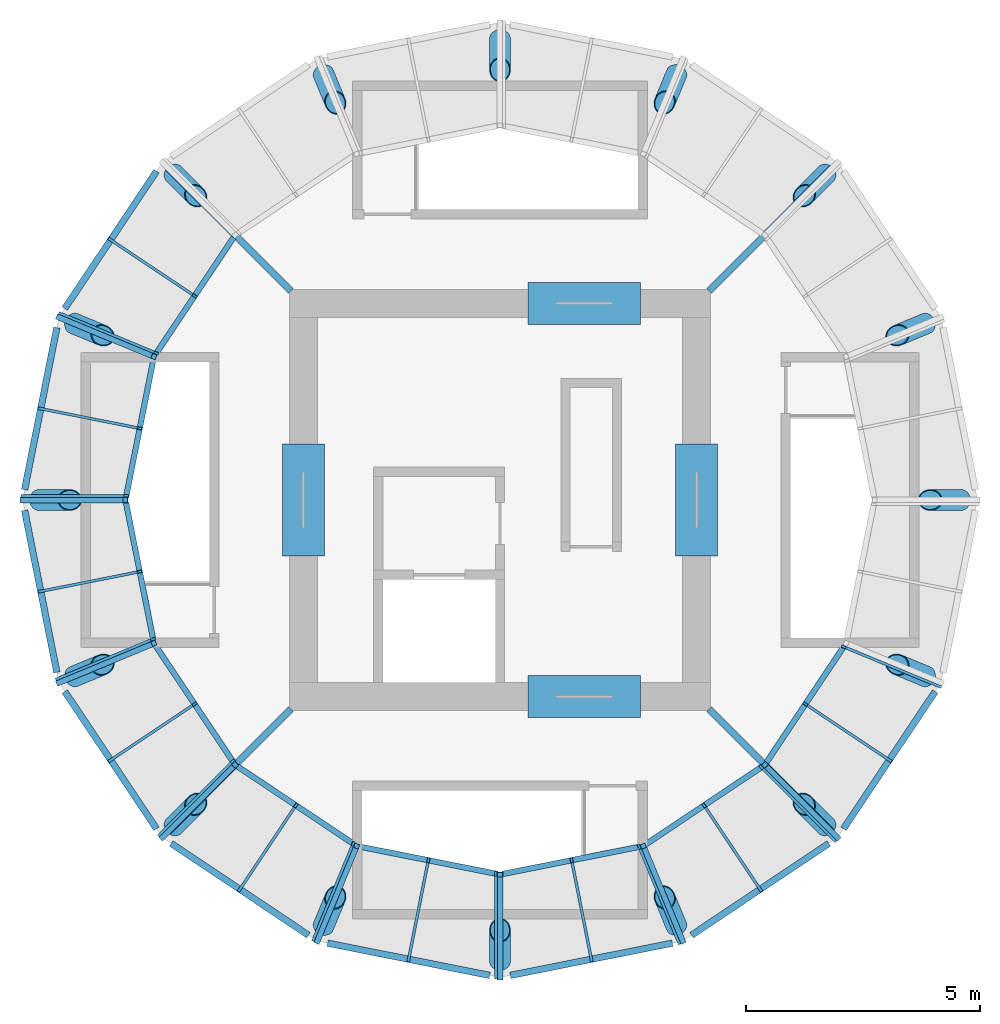
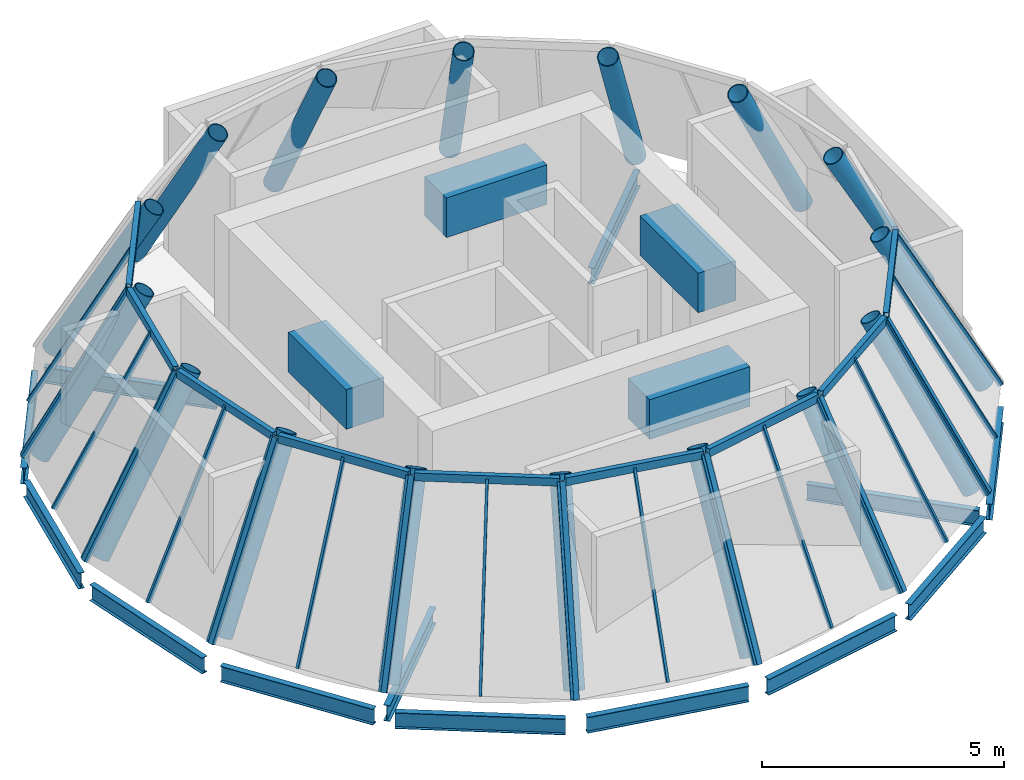
# One storey, part 1 of 4: 35 members, 17 beams, 16 columns, 9 elements without a shape of their own.
"""IFC4 building model written with IfcOpenShell, lengths in metres."""

from ifc_helpers import new_model, si_unit, direction, frame, origin, origin_2d, place, context, subcontext, project, spatial, rectangle, hollow_rectangle, hollow_circle, i_section, extrude, material, material_profile, profile_set, type_object, element, aggregate, save


model = new_model("IFC4")

# Units and contexts
model_context = context("Model", 3, precision=1e-05, world=origin(), true_north=direction((0.0, 1.0)))
body_context = subcontext(model_context, "Body", "Model", "MODEL_VIEW")
ifc_project = project(units=[si_unit("LENGTHUNIT", "METRE"), si_unit("AREAUNIT", "SQUARE_METRE"), si_unit("VOLUMEUNIT", "CUBIC_METRE"), si_unit("PLANEANGLEUNIT", "RADIAN"), si_unit("MASSUNIT", "GRAM", prefix="KILO")], contexts=[model_context])

# Site, building, storey
site_placement = place(None, origin())
site = spatial("IfcSite", under=ifc_project, at=site_placement, CompositionType="ELEMENT")
building_placement = place(site_placement, origin())
building = spatial("IfcBuilding", under=site, at=building_placement, Name="Corvane Civic Tower", CompositionType="ELEMENT")
storey_placement = place(building_placement, frame((0.0, 0.0, 406.5)))
storey = spatial("IfcBuildingStorey", under=building, at=storey_placement, Name="L96", CompositionType="ELEMENT", Elevation=406.5)

# Columns
ifc_material_1 = material(Name="Steel ASTM A572 Gr 50", Category="steel")
ifc_material_profile_1 = material_profile(ifc_material_1, hollow_circle(Radius=0.22509765625, WallThickness=0.02001953125, at=origin_2d()), Name="CHS450X20")
ifc_profile_set_1 = profile_set([ifc_material_profile_1], Name="Steel ASTM A572 Gr 50")
column_type = type_object("IfcColumnType", Name="CROWN RIB CHS450X20", PredefinedType="COLUMN", material=ifc_profile_set_1)
column_1_placement = place(storey_placement, frame((0.0, 9.847900390625, 0.00390625), z_axis=(0.0, -0.481943591087, 0.876202245495), x_axis=(1.0, 0.0, 0.0)))
element("IfcColumn", 1, at=column_1_placement, inside=storey, type_object=column_type, Name="Crown rib CR-1", PredefinedType="COLUMN", context=body_context, shape_type="SweptSolid", body=[
    extrude(hollow_circle(Radius=0.22509765625, WallThickness=0.02001953125, at=origin_2d()), origin(), (0.0, 0.0, 1.0), 4.52734375),
])
for number, where, z_axis, x_axis, name in (
    (2, (3.7685546875, 9.09814453125, 0.00390625), (-0.184432798583, -0.445227247106, 0.876217576428), (0.923869529365, -0.382707581205, 0.0), "Crown rib CR-3"),
    (3, (6.96337890625, 6.96337890625, 0.00390625), (-0.340768469748, -0.340768469748, 0.8762155557), (0.707106781187, -0.707106781187, 0.0), "Crown rib CR-5"),
    (4, (9.09814453125, 3.7685546875, 0.00390625), (-0.445227247106, -0.184432798583, 0.876217576428), (0.382707581205, -0.923869529365, 0.0), "Crown rib CR-7"),
):
    element("IfcColumn", number, at=place(storey_placement, frame(where, z_axis=z_axis, x_axis=x_axis)), inside=storey, type_object=column_type, Name=name, PredefinedType="COLUMN", context=body_context, shape_type="SweptSolid", body=[
        extrude(hollow_circle(Radius=0.22509765625, WallThickness=0.02001953125, at=origin_2d()), origin(), (0.0, 0.0, 1.0), 4.527099609375),
    ])
column_2_placement = place(storey_placement, frame((9.847900390625, 0.0, 0.00390625), z_axis=(-0.481943591087, 0.0, 0.876202245495), x_axis=(0.0, -1.0, 0.0)))
element("IfcColumn", 5, at=column_2_placement, inside=storey, type_object=column_type, Name="Crown rib CR-9", PredefinedType="COLUMN", context=body_context, shape_type="SweptSolid", body=[
    extrude(hollow_circle(Radius=0.22509765625, WallThickness=0.02001953125, at=origin_2d()), origin(), (0.0, 0.0, 1.0), 4.52734375),
])
for number, where, z_axis, x_axis, name in (
    (6, (9.09814453125, -3.7685546875, 0.00390625), (-0.445227247106, 0.184432798583, 0.876217576428), (-0.382707581205, -0.923869529365, 0.0), "Crown rib CR-11"),
    (7, (6.96337890625, -6.96337890625, 0.00390625), (-0.340768469748, 0.340768469748, 0.8762155557), (-0.707106781187, -0.707106781187, 0.0), "Crown rib CR-13"),
    (8, (3.7685546875, -9.09814453125, 0.00390625), (-0.184432798583, 0.445227247106, 0.876217576428), (-0.923869529365, -0.382707581205, 0.0), "Crown rib CR-15"),
):
    element("IfcColumn", number, at=place(storey_placement, frame(where, z_axis=z_axis, x_axis=x_axis)), inside=storey, type_object=column_type, Name=name, PredefinedType="COLUMN", context=body_context, shape_type="SweptSolid", body=[
        extrude(hollow_circle(Radius=0.22509765625, WallThickness=0.02001953125, at=origin_2d()), origin(), (0.0, 0.0, 1.0), 4.527099609375),
    ])
column_3_placement = place(storey_placement, frame((0.0, -9.847900390625, 0.00390625), z_axis=(0.0, 0.481943591087, 0.876202245495), x_axis=(-1.0, 0.0, 0.0)))
element("IfcColumn", 9, at=column_3_placement, inside=storey, type_object=column_type, Name="Crown rib CR-17", PredefinedType="COLUMN", context=body_context, shape_type="SweptSolid", body=[
    extrude(hollow_circle(Radius=0.22509765625, WallThickness=0.02001953125, at=origin_2d()), origin(), (0.0, 0.0, 1.0), 4.52734375),
])
for number, where, z_axis, x_axis, name in (
    (10, (-3.7685546875, -9.09814453125, 0.00390625), (0.184432798583, 0.445227247106, 0.876217576428), (-0.923869529365, 0.382707581205, 0.0), "Crown rib CR-19"),
    (11, (-6.96337890625, -6.96337890625, 0.00390625), (0.340768469748, 0.340768469748, 0.8762155557), (-0.707106781187, 0.707106781187, 0.0), "Crown rib CR-21"),
    (12, (-9.09814453125, -3.7685546875, 0.00390625), (0.445227247106, 0.184432798583, 0.876217576428), (-0.382707581205, 0.923869529365, 0.0), "Crown rib CR-23"),
):
    element("IfcColumn", number, at=place(storey_placement, frame(where, z_axis=z_axis, x_axis=x_axis)), inside=storey, type_object=column_type, Name=name, PredefinedType="COLUMN", context=body_context, shape_type="SweptSolid", body=[
        extrude(hollow_circle(Radius=0.22509765625, WallThickness=0.02001953125, at=origin_2d()), origin(), (0.0, 0.0, 1.0), 4.527099609375),
    ])
column_4_placement = place(storey_placement, frame((-9.847900390625, 0.0, 0.00390625), z_axis=(0.481943591087, 0.0, 0.876202245495), x_axis=(0.0, 1.0, 0.0)))
element("IfcColumn", 13, at=column_4_placement, inside=storey, type_object=column_type, Name="Crown rib CR-25", PredefinedType="COLUMN", context=body_context, shape_type="SweptSolid", body=[
    extrude(hollow_circle(Radius=0.22509765625, WallThickness=0.02001953125, at=origin_2d()), origin(), (0.0, 0.0, 1.0), 4.52734375),
])
for number, where, z_axis, x_axis, name in (
    (14, (-9.09814453125, 3.7685546875, 0.00390625), (0.445227247106, -0.184432798583, 0.876217576428), (0.382707581205, 0.923869529365, 0.0), "Crown rib CR-27"),
    (15, (-6.96337890625, 6.96337890625, 0.00390625), (0.340768469748, -0.340768469748, 0.8762155557), (0.707106781187, 0.707106781187, 0.0), "Crown rib CR-29"),
    (16, (-3.7685546875, 9.09814453125, 0.00390625), (0.184432798583, -0.445227247106, 0.876217576428), (0.923869529365, 0.382707581205, 0.0), "Crown rib CR-31"),
):
    element("IfcColumn", number, at=place(storey_placement, frame(where, z_axis=z_axis, x_axis=x_axis)), inside=storey, type_object=column_type, Name=name, PredefinedType="COLUMN", context=body_context, shape_type="SweptSolid", body=[
        extrude(hollow_circle(Radius=0.22509765625, WallThickness=0.02001953125, at=origin_2d()), origin(), (0.0, 0.0, 1.0), 4.527099609375),
    ])

# Beams
ifc_material_2 = material(Name="Concrete C40/50", Category="concrete")
ifc_material_profile_2 = material_profile(ifc_material_2, rectangle(XDim=0.89990234375, YDim=1.0, at=origin_2d()), Name="COUPLING BEAM 900X1000")
ifc_profile_set_2 = profile_set([ifc_material_profile_2], Name="Concrete C40/50")
beam_type_1 = type_object("IfcBeamType", Name="COUPLING BEAM COUPLING BEAM 900X1000", PredefinedType="BEAM", material=ifc_profile_set_2)
for number, where, z_axis, x_axis, name in (
    (17, (4.199951171875, -1.199951171875, 2.60009765625), (0.0, 1.0, 0.0), (-1.0, 0.0, 0.0), "BM-L96-cpl-CW-E"),
    (18, (0.60009765625, 4.199951171875, 2.60009765625), (1.0, 0.0, 0.0), (0.0, 1.0, 0.0), "BM-L96-cpl-CW-N"),
    (19, (-4.199951171875, -1.199951171875, 2.60009765625), (0.0, 1.0, 0.0), (-1.0, 0.0, 0.0), "BM-L96-cpl-CW-W"),
    (20, (0.60009765625, -4.199951171875, 2.60009765625), (1.0, 0.0, 0.0), (0.0, 1.0, 0.0), "BM-L96-cpl-CW-S"),
):
    element("IfcBeam", number, at=place(storey_placement, frame(where, z_axis=z_axis, x_axis=x_axis)), inside=storey, type_object=beam_type_1, Name=name, PredefinedType="BEAM", context=body_context, shape_type="SweptSolid", body=[
        extrude(rectangle(XDim=0.89990234375, YDim=1.0, at=origin_2d()), origin(), (0.0, 0.0, 1.0), 2.39990234375),
    ])

# Curtain wall, members
ifc_material_3 = material(Name="Aluminium and glass", Category="aluminium")
curtain_wall_type = type_object("IfcCurtainWallType", Name="CROWN-CW-K-FACET", PredefinedType="NOTDEFINED", material=ifc_material_3)
curtain_wall_1_placement = place(storey_placement, origin())
curtain_wall_1 = element("IfcCurtainWall", 21, at=curtain_wall_1_placement, inside=storey, type_object=curtain_wall_type, Name="Glass cone facet 3 row 5", PredefinedType="NOTDEFINED")
ifc_material_4 = material(Name="Steel ASTM A500 Gr C", Category="steel")
ifc_material_profile_3 = material_profile(ifc_material_4, hollow_rectangle(XDim=0.06005859375, YDim=0.1201171875, WallThickness=0.0048828125, at=origin_2d()), Name="RHS 120x60x5")
ifc_profile_set_3 = profile_set([ifc_material_profile_3], Name="Steel ASTM A500 Gr C")
member_type_1 = type_object("IfcMemberType", Name="CROWN-CWK-MULLION-RHS120x60x5", PredefinedType="MULLION", material=ifc_profile_set_3)
member_1_placement = place(storey_placement, frame((-8.318115234375, 5.557861328125, 0.0), z_axis=(0.394770276201, -0.263753171336, 0.880108341989), x_axis=(0.555535439071, 0.831492859823, 0.0)))
member_1 = element("IfcMember", 22, at=member_1_placement, type_object=member_type_1, Name="Cone mullion 3.5M", PredefinedType="MULLION", context=body_context, shape_type="SweptSolid", body=[
    extrude(hollow_rectangle(XDim=0.06005859375, YDim=0.1201171875, WallThickness=0.0048828125, at=origin_2d()), origin(), (0.0, 0.0, 1.0), 4.544921875),
])
member_2_placement = place(storey_placement, frame((-9.37353515625, 3.978271484375, 0.0), z_axis=(0.445225500311, -0.184400903913, 0.876225176829), x_axis=(0.38265237095, 0.923892397959, 0.0)))
member_2 = element("IfcMember", 23, at=member_2_placement, type_object=member_type_1, Name="Cone mullion 3.5J", PredefinedType="MULLION", context=body_context, shape_type="SweptSolid", body=[
    extrude(hollow_rectangle(XDim=0.06005859375, YDim=0.1201171875, WallThickness=0.0048828125, at=origin_2d()), origin(), (0.0, 0.0, 1.0), 4.56494140625),
])

curtain_wall_2_placement = place(storey_placement, origin())
curtain_wall_2 = element("IfcCurtainWall", 24, at=curtain_wall_2_placement, inside=storey, type_object=curtain_wall_type, Name="Glass cone facet 4 row 5", PredefinedType="NOTDEFINED")
member_3_placement = place(storey_placement, frame((-9.811767578125, 1.95166015625, 0.0), z_axis=(0.465630107742, -0.092610325998, 0.880120406696), x_axis=(0.195071557223, 0.980789012766, 0.0)))
member_3 = element("IfcMember", 25, at=member_3_placement, type_object=member_type_1, Name="Cone mullion 4.5M", PredefinedType="MULLION", context=body_context, shape_type="SweptSolid", body=[
    extrude(hollow_rectangle(XDim=0.06005859375, YDim=0.1201171875, WallThickness=0.0048828125, at=origin_2d()), origin(), (0.0, 0.0, 1.0), 4.544921875),
])
member_4_placement = place(storey_placement, frame((-10.182373046875, 0.08837890625, 0.0), z_axis=(0.481910537812, 0.0, 0.876220425204), x_axis=(0.0, 1.0, 0.0)))
member_4 = element("IfcMember", 26, at=member_4_placement, type_object=member_type_1, Name="Cone mullion 4.5J", PredefinedType="MULLION", context=body_context, shape_type="SweptSolid", body=[
    extrude(hollow_rectangle(XDim=0.06005859375, YDim=0.1201171875, WallThickness=0.0048828125, at=origin_2d()), origin(), (0.0, 0.0, 1.0), 4.56494140625),
])

curtain_wall_3_placement = place(storey_placement, origin())
curtain_wall_3 = element("IfcCurtainWall", 27, at=curtain_wall_3_placement, inside=storey, type_object=curtain_wall_type, Name="Glass cone facet 5 row 5", PredefinedType="NOTDEFINED")
member_5_placement = place(storey_placement, frame((-9.811767578125, -1.95166015625, 0.0), z_axis=(0.465630107742, 0.092610325998, 0.880120406696), x_axis=(-0.195071557223, 0.980789012766, 0.0)))
member_5 = element("IfcMember", 28, at=member_5_placement, type_object=member_type_1, Name="Cone mullion 5.5M", PredefinedType="MULLION", context=body_context, shape_type="SweptSolid", body=[
    extrude(hollow_rectangle(XDim=0.06005859375, YDim=0.1201171875, WallThickness=0.0048828125, at=origin_2d()), origin(), (0.0, 0.0, 1.0), 4.544921875),
])
member_6_placement = place(storey_placement, frame((-9.441162109375, -3.81494140625, 0.0), z_axis=(0.445229890491, 0.184349241144, 0.876233816914), x_axis=(-0.382557636574, 0.923931628801, 0.0)))
member_6 = element("IfcMember", 29, at=member_6_placement, type_object=member_type_1, Name="Cone mullion 5.5J", PredefinedType="MULLION", context=body_context, shape_type="SweptSolid", body=[
    extrude(hollow_rectangle(XDim=0.06005859375, YDim=0.1201171875, WallThickness=0.0048828125, at=origin_2d()), origin(), (0.0, 0.0, 1.0), 4.56494140625),
])

curtain_wall_4_placement = place(storey_placement, origin())
curtain_wall_4 = element("IfcCurtainWall", 30, at=curtain_wall_4_placement, inside=storey, type_object=curtain_wall_type, Name="Glass cone facet 6 row 5", PredefinedType="NOTDEFINED")
member_7_placement = place(storey_placement, frame((-8.318115234375, -5.557861328125, 0.0), z_axis=(0.394770276201, 0.263753171336, 0.880108341989), x_axis=(-0.555535439071, 0.831492859823, 0.0)))
member_7 = element("IfcMember", 31, at=member_7_placement, type_object=member_type_1, Name="Cone mullion 6.5M", PredefinedType="MULLION", context=body_context, shape_type="SweptSolid", body=[
    extrude(hollow_rectangle(XDim=0.06005859375, YDim=0.1201171875, WallThickness=0.0048828125, at=origin_2d()), origin(), (0.0, 0.0, 1.0), 4.544921875),
])
member_8_placement = place(storey_placement, frame((-7.262451171875, -7.1376953125, 0.0), z_axis=(0.340766706606, 0.340820185373, 0.876196126966), x_axis=(-0.707162260122, 0.707051297897, 0.0)))
member_8 = element("IfcMember", 32, at=member_8_placement, type_object=member_type_1, Name="Cone mullion 6.5J", PredefinedType="MULLION", context=body_context, shape_type="SweptSolid", body=[
    extrude(hollow_rectangle(XDim=0.06005859375, YDim=0.1201171875, WallThickness=0.0048828125, at=origin_2d()), origin(), (0.0, 0.0, 1.0), 4.565185546875),
])

curtain_wall_5_placement = place(storey_placement, origin())
curtain_wall_5 = element("IfcCurtainWall", 33, at=curtain_wall_5_placement, inside=storey, type_object=curtain_wall_type, Name="Glass cone facet 7 row 5", PredefinedType="NOTDEFINED")
member_9_placement = place(storey_placement, frame((-5.557861328125, -8.318115234375, 0.0), z_axis=(0.263753171336, 0.394770276201, 0.880108341989), x_axis=(-0.831492859823, 0.555535439071, 0.0)))
member_9 = element("IfcMember", 34, at=member_9_placement, type_object=member_type_1, Name="Cone mullion 7.5M", PredefinedType="MULLION", context=body_context, shape_type="SweptSolid", body=[
    extrude(hollow_rectangle(XDim=0.06005859375, YDim=0.1201171875, WallThickness=0.0048828125, at=origin_2d()), origin(), (0.0, 0.0, 1.0), 4.544921875),
])
member_10_placement = place(storey_placement, frame((-3.978271484375, -9.37353515625, 0.0), z_axis=(0.184400903913, 0.445225500311, 0.876225176829), x_axis=(-0.923892397959, 0.38265237095, 0.0)))
member_10 = element("IfcMember", 35, at=member_10_placement, type_object=member_type_1, Name="Cone mullion 7.5J", PredefinedType="MULLION", context=body_context, shape_type="SweptSolid", body=[
    extrude(hollow_rectangle(XDim=0.06005859375, YDim=0.1201171875, WallThickness=0.0048828125, at=origin_2d()), origin(), (0.0, 0.0, 1.0), 4.56494140625),
])

curtain_wall_6_placement = place(storey_placement, origin())
curtain_wall_6 = element("IfcCurtainWall", 36, at=curtain_wall_6_placement, inside=storey, type_object=curtain_wall_type, Name="Glass cone facet 8 row 5", PredefinedType="NOTDEFINED")
member_11_placement = place(storey_placement, frame((-1.95166015625, -9.811767578125, 0.0), z_axis=(0.092610325998, 0.465630107742, 0.880120406696), x_axis=(-0.980789012766, 0.195071557223, 0.0)))
member_11 = element("IfcMember", 37, at=member_11_placement, type_object=member_type_1, Name="Cone mullion 8.5M", PredefinedType="MULLION", context=body_context, shape_type="SweptSolid", body=[
    extrude(hollow_rectangle(XDim=0.06005859375, YDim=0.1201171875, WallThickness=0.0048828125, at=origin_2d()), origin(), (0.0, 0.0, 1.0), 4.544921875),
])
member_12_placement = place(storey_placement, frame((-0.08837890625, -10.182373046875, 0.0), z_axis=(0.0, 0.481910537812, 0.876220425204), x_axis=(-1.0, 0.0, 0.0)))
member_12 = element("IfcMember", 38, at=member_12_placement, type_object=member_type_1, Name="Cone mullion 8.5J", PredefinedType="MULLION", context=body_context, shape_type="SweptSolid", body=[
    extrude(hollow_rectangle(XDim=0.06005859375, YDim=0.1201171875, WallThickness=0.0048828125, at=origin_2d()), origin(), (0.0, 0.0, 1.0), 4.56494140625),
])

curtain_wall_7_placement = place(storey_placement, origin())
curtain_wall_7 = element("IfcCurtainWall", 39, at=curtain_wall_7_placement, inside=storey, type_object=curtain_wall_type, Name="Glass cone facet 9 row 5", PredefinedType="NOTDEFINED")
member_13_placement = place(storey_placement, frame((1.95166015625, -9.811767578125, 0.0), z_axis=(-0.092610325998, 0.465630107742, 0.880120406696), x_axis=(-0.980789012766, -0.195071557223, 0.0)))
member_13 = element("IfcMember", 40, at=member_13_placement, type_object=member_type_1, Name="Cone mullion 9.5M", PredefinedType="MULLION", context=body_context, shape_type="SweptSolid", body=[
    extrude(hollow_rectangle(XDim=0.06005859375, YDim=0.1201171875, WallThickness=0.0048828125, at=origin_2d()), origin(), (0.0, 0.0, 1.0), 4.544921875),
])
member_14_placement = place(storey_placement, frame((3.81494140625, -9.441162109375, 0.0), z_axis=(-0.184349241144, 0.445229890491, 0.876233816914), x_axis=(-0.923931628801, -0.382557636574, 0.0)))
member_14 = element("IfcMember", 41, at=member_14_placement, type_object=member_type_1, Name="Cone mullion 9.5J", PredefinedType="MULLION", context=body_context, shape_type="SweptSolid", body=[
    extrude(hollow_rectangle(XDim=0.06005859375, YDim=0.1201171875, WallThickness=0.0048828125, at=origin_2d()), origin(), (0.0, 0.0, 1.0), 4.56494140625),
])

curtain_wall_8_placement = place(storey_placement, origin())
curtain_wall_8 = element("IfcCurtainWall", 42, at=curtain_wall_8_placement, inside=storey, type_object=curtain_wall_type, Name="Glass cone facet 10 row 5", PredefinedType="NOTDEFINED")
member_15_placement = place(storey_placement, frame((5.557861328125, -8.318115234375, 0.0), z_axis=(-0.263753171336, 0.394770276201, 0.880108341989), x_axis=(-0.831492859823, -0.555535439071, 0.0)))
member_15 = element("IfcMember", 43, at=member_15_placement, type_object=member_type_1, Name="Cone mullion 10.5M", PredefinedType="MULLION", context=body_context, shape_type="SweptSolid", body=[
    extrude(hollow_rectangle(XDim=0.06005859375, YDim=0.1201171875, WallThickness=0.0048828125, at=origin_2d()), origin(), (0.0, 0.0, 1.0), 4.544921875),
])
member_16_placement = place(storey_placement, frame((7.1376953125, -7.262451171875, 0.0), z_axis=(-0.340820185373, 0.340766706606, 0.876196126966), x_axis=(-0.707051297897, -0.707162260122, 0.0)))
member_16 = element("IfcMember", 44, at=member_16_placement, type_object=member_type_1, Name="Cone mullion 10.5J", PredefinedType="MULLION", context=body_context, shape_type="SweptSolid", body=[
    extrude(hollow_rectangle(XDim=0.06005859375, YDim=0.1201171875, WallThickness=0.0048828125, at=origin_2d()), origin(), (0.0, 0.0, 1.0), 4.565185546875),
])

curtain_wall_9_placement = place(storey_placement, origin())
curtain_wall_9 = element("IfcCurtainWall", 45, at=curtain_wall_9_placement, inside=storey, type_object=curtain_wall_type, Name="Glass cone facet 11 row 5", PredefinedType="NOTDEFINED")
member_17_placement = place(storey_placement, frame((8.318115234375, -5.557861328125, 0.0), z_axis=(-0.394770276201, 0.263753171336, 0.880108341989), x_axis=(-0.555535439071, -0.831492859823, 0.0)))
member_17 = element("IfcMember", 46, at=member_17_placement, type_object=member_type_1, Name="Cone mullion 11.5M", PredefinedType="MULLION", context=body_context, shape_type="SweptSolid", body=[
    extrude(hollow_rectangle(XDim=0.06005859375, YDim=0.1201171875, WallThickness=0.0048828125, at=origin_2d()), origin(), (0.0, 0.0, 1.0), 4.544921875),
])
member_18_placement = place(storey_placement, frame((9.37353515625, -3.978271484375, 0.0), z_axis=(-0.445225500311, 0.184400903913, 0.876225176829), x_axis=(-0.38265237095, -0.923892397959, 0.0)))
member_18 = element("IfcMember", 47, at=member_18_placement, type_object=member_type_1, Name="Cone mullion 11.5J", PredefinedType="MULLION", context=body_context, shape_type="SweptSolid", body=[
    extrude(hollow_rectangle(XDim=0.06005859375, YDim=0.1201171875, WallThickness=0.0048828125, at=origin_2d()), origin(), (0.0, 0.0, 1.0), 4.56494140625),
])

# Member
ifc_material_5 = material(Name="Steel ASTM A500 Gr C", Category="steel")
ifc_material_profile_4 = material_profile(ifc_material_5, hollow_rectangle(XDim=0.1201171875, YDim=0.1201171875, WallThickness=0.006103515625, at=origin_2d()), Name="RHS 120x120x6")
ifc_profile_set_4 = profile_set([ifc_material_profile_4], Name="Steel ASTM A500 Gr C")
member_type_2 = type_object("IfcMemberType", Name="CROWN-CWK-RIB-RHS120x120x6", PredefinedType="MULLION", material=ifc_profile_set_4)
member_19_placement = place(storey_placement, frame((-9.423583984375, 3.9033203125, 0.0), z_axis=(0.445225500311, -0.184400903913, 0.876225176829), x_axis=(0.38265237095, 0.923892397959, 0.0)))
member_19 = element("IfcMember", 48, at=member_19_placement, type_object=member_type_2, Name="Cone rib 4.5", PredefinedType="MULLION", context=body_context, shape_type="SweptSolid", body=[
    extrude(hollow_rectangle(XDim=0.1201171875, YDim=0.1201171875, WallThickness=0.006103515625, at=origin_2d()), origin(), (0.0, 0.0, 1.0), 4.56494140625),
])

member_20_placement = place(storey_placement, frame((-10.199951171875, 0.0, 0.0), z_axis=(0.481910537812, 0.0, 0.876220425204), x_axis=(0.0, 1.0, 0.0)))
member_20 = element("IfcMember", 49, at=member_20_placement, type_object=member_type_2, Name="Cone rib 5.5", PredefinedType="MULLION", context=body_context, shape_type="SweptSolid", body=[
    extrude(hollow_rectangle(XDim=0.1201171875, YDim=0.1201171875, WallThickness=0.006103515625, at=origin_2d()), origin(), (0.0, 0.0, 1.0), 4.56494140625),
])

member_21_placement = place(storey_placement, frame((-9.423583984375, -3.9033203125, 0.0), z_axis=(0.445225500311, 0.184400903913, 0.876225176829), x_axis=(-0.38265237095, 0.923892397959, 0.0)))
member_21 = element("IfcMember", 50, at=member_21_placement, type_object=member_type_2, Name="Cone rib 6.5", PredefinedType="MULLION", context=body_context, shape_type="SweptSolid", body=[
    extrude(hollow_rectangle(XDim=0.1201171875, YDim=0.1201171875, WallThickness=0.006103515625, at=origin_2d()), origin(), (0.0, 0.0, 1.0), 4.56494140625),
])

member_22_placement = place(storey_placement, frame((-7.21240234375, -7.21240234375, 0.0), z_axis=(0.340772917322, 0.340772917322, 0.876212096264), x_axis=(-0.707106781187, 0.707106781187, 0.0)))
member_22 = element("IfcMember", 51, at=member_22_placement, type_object=member_type_2, Name="Cone rib 7.5", PredefinedType="MULLION", context=body_context, shape_type="SweptSolid", body=[
    extrude(hollow_rectangle(XDim=0.1201171875, YDim=0.1201171875, WallThickness=0.006103515625, at=origin_2d()), origin(), (0.0, 0.0, 1.0), 4.565185546875),
])

member_23_placement = place(storey_placement, frame((-3.9033203125, -9.423583984375, 0.0), z_axis=(0.184400903913, 0.445225500311, 0.876225176829), x_axis=(-0.923892397959, 0.38265237095, 0.0)))
member_23 = element("IfcMember", 52, at=member_23_placement, type_object=member_type_2, Name="Cone rib 8.5", PredefinedType="MULLION", context=body_context, shape_type="SweptSolid", body=[
    extrude(hollow_rectangle(XDim=0.1201171875, YDim=0.1201171875, WallThickness=0.006103515625, at=origin_2d()), origin(), (0.0, 0.0, 1.0), 4.56494140625),
])

member_24_placement = place(storey_placement, frame((0.0, -10.199951171875, 0.0), z_axis=(0.0, 0.481910537812, 0.876220425204), x_axis=(-1.0, 0.0, 0.0)))
member_24 = element("IfcMember", 53, at=member_24_placement, type_object=member_type_2, Name="Cone rib 9.5", PredefinedType="MULLION", context=body_context, shape_type="SweptSolid", body=[
    extrude(hollow_rectangle(XDim=0.1201171875, YDim=0.1201171875, WallThickness=0.006103515625, at=origin_2d()), origin(), (0.0, 0.0, 1.0), 4.56494140625),
])

member_25_placement = place(storey_placement, frame((3.9033203125, -9.423583984375, 0.0), z_axis=(-0.184400903913, 0.445225500311, 0.876225176829), x_axis=(-0.923892397959, -0.38265237095, 0.0)))
member_25 = element("IfcMember", 54, at=member_25_placement, type_object=member_type_2, Name="Cone rib 10.5", PredefinedType="MULLION", context=body_context, shape_type="SweptSolid", body=[
    extrude(hollow_rectangle(XDim=0.1201171875, YDim=0.1201171875, WallThickness=0.006103515625, at=origin_2d()), origin(), (0.0, 0.0, 1.0), 4.56494140625),
])

member_26_placement = place(storey_placement, frame((7.21240234375, -7.21240234375, 0.0), z_axis=(-0.340772917322, 0.340772917322, 0.876212096264), x_axis=(-0.707106781187, -0.707106781187, 0.0)))
member_26 = element("IfcMember", 55, at=member_26_placement, type_object=member_type_2, Name="Cone rib 11.5", PredefinedType="MULLION", context=body_context, shape_type="SweptSolid", body=[
    extrude(hollow_rectangle(XDim=0.1201171875, YDim=0.1201171875, WallThickness=0.006103515625, at=origin_2d()), origin(), (0.0, 0.0, 1.0), 4.565185546875),
])

ifc_material_6 = material(Name="Steel ASTM A500 Gr C", Category="steel")
ifc_material_profile_5 = material_profile(ifc_material_6, hollow_rectangle(XDim=0.1201171875, YDim=0.199951171875, WallThickness=0.006103515625, at=origin_2d()), Name="RHS 200x120x6")
ifc_profile_set_5 = profile_set([ifc_material_profile_5], Name="Steel ASTM A500 Gr C")
member_type_3 = type_object("IfcMemberType", Name="CROWN-CWK-RING-RHS200x120x6", PredefinedType="USERDEFINED", material=ifc_profile_set_5)
member_27_placement = place(storey_placement, frame((-5.690185546875, 5.60693359375, 4.0), z_axis=(-0.555619601951, -0.831436622917, 0.0), x_axis=(0.831436622917, -0.555619601951, 0.0)))
member_27 = element("IfcMember", 56, at=member_27_placement, type_object=member_type_3, Name="Cone ring member 3.5", ObjectType="TRANSOM", PredefinedType="USERDEFINED", context=body_context, shape_type="SweptSolid", body=[
    extrude(hollow_rectangle(XDim=0.1201171875, YDim=0.199951171875, WallThickness=0.006103515625, at=origin_2d()), origin(), (0.0, 0.0, 1.0), 3.00146484375),
])

aggregate(curtain_wall_1, [member_27, member_1, member_2])

member_28_placement = place(storey_placement, frame((-7.40283203125, 3.002685546875, 4.0), z_axis=(-0.195052348135, -0.980792833114, 0.0), x_axis=(0.980792833114, -0.195052348135, 0.0)))
member_28 = element("IfcMember", 57, at=member_28_placement, type_object=member_type_3, Name="Cone ring member 4.5", ObjectType="TRANSOM", PredefinedType="USERDEFINED", context=body_context, shape_type="SweptSolid", body=[
    extrude(hollow_rectangle(XDim=0.1201171875, YDim=0.199951171875, WallThickness=0.006103515625, at=origin_2d()), origin(), (0.0, 0.0, 1.0), 3.00146484375),
])

aggregate(curtain_wall_2, [member_19, member_28, member_3, member_4])

member_29_placement = place(storey_placement, frame((-7.98828125, -0.058837890625, 4.0), z_axis=(0.195052348135, -0.980792833114, 0.0), x_axis=(0.980792833114, 0.195052348135, 0.0)))
member_29 = element("IfcMember", 58, at=member_29_placement, type_object=member_type_3, Name="Cone ring member 5.5", ObjectType="TRANSOM", PredefinedType="USERDEFINED", context=body_context, shape_type="SweptSolid", body=[
    extrude(hollow_rectangle(XDim=0.1201171875, YDim=0.199951171875, WallThickness=0.006103515625, at=origin_2d()), origin(), (0.0, 0.0, 1.0), 3.00146484375),
])

aggregate(curtain_wall_3, [member_20, member_29, member_5, member_6])

member_30_placement = place(storey_placement, frame((-7.35791015625, -3.111328125, 4.0), z_axis=(0.555619601951, -0.831436622917, 0.0), x_axis=(0.831436622917, 0.555619601951, 0.0)))
member_30 = element("IfcMember", 59, at=member_30_placement, type_object=member_type_3, Name="Cone ring member 6.5", ObjectType="TRANSOM", PredefinedType="USERDEFINED", context=body_context, shape_type="SweptSolid", body=[
    extrude(hollow_rectangle(XDim=0.1201171875, YDim=0.199951171875, WallThickness=0.006103515625, at=origin_2d()), origin(), (0.0, 0.0, 1.0), 3.00146484375),
])

aggregate(curtain_wall_4, [member_21, member_30, member_7, member_8])

member_31_placement = place(storey_placement, frame((-5.60693359375, -5.690185546875, 4.0), z_axis=(0.831436622917, -0.555619601951, 0.0), x_axis=(0.555619601951, 0.831436622917, 0.0)))
member_31 = element("IfcMember", 60, at=member_31_placement, type_object=member_type_3, Name="Cone ring member 7.5", ObjectType="TRANSOM", PredefinedType="USERDEFINED", context=body_context, shape_type="SweptSolid", body=[
    extrude(hollow_rectangle(XDim=0.1201171875, YDim=0.199951171875, WallThickness=0.006103515625, at=origin_2d()), origin(), (0.0, 0.0, 1.0), 3.00146484375),
])

aggregate(curtain_wall_5, [member_22, member_31, member_9, member_10])

member_32_placement = place(storey_placement, frame((-3.002685546875, -7.40283203125, 4.0), z_axis=(0.980792833114, -0.195052348135, 0.0), x_axis=(0.195052348135, 0.980792833114, 0.0)))
member_32 = element("IfcMember", 61, at=member_32_placement, type_object=member_type_3, Name="Cone ring member 8.5", ObjectType="TRANSOM", PredefinedType="USERDEFINED", context=body_context, shape_type="SweptSolid", body=[
    extrude(hollow_rectangle(XDim=0.1201171875, YDim=0.199951171875, WallThickness=0.006103515625, at=origin_2d()), origin(), (0.0, 0.0, 1.0), 3.00146484375),
])

aggregate(curtain_wall_6, [member_23, member_32, member_11, member_12])

member_33_placement = place(storey_placement, frame((0.058837890625, -7.98828125, 4.0), z_axis=(0.980792833114, 0.195052348135, 0.0), x_axis=(-0.195052348135, 0.980792833114, 0.0)))
member_33 = element("IfcMember", 62, at=member_33_placement, type_object=member_type_3, Name="Cone ring member 9.5", ObjectType="TRANSOM", PredefinedType="USERDEFINED", context=body_context, shape_type="SweptSolid", body=[
    extrude(hollow_rectangle(XDim=0.1201171875, YDim=0.199951171875, WallThickness=0.006103515625, at=origin_2d()), origin(), (0.0, 0.0, 1.0), 3.00146484375),
])

aggregate(curtain_wall_7, [member_24, member_33, member_13, member_14])

member_34_placement = place(storey_placement, frame((3.111328125, -7.35791015625, 4.0), z_axis=(0.831436622917, 0.555619601951, 0.0), x_axis=(-0.555619601951, 0.831436622917, 0.0)))
member_34 = element("IfcMember", 63, at=member_34_placement, type_object=member_type_3, Name="Cone ring member 10.5", ObjectType="TRANSOM", PredefinedType="USERDEFINED", context=body_context, shape_type="SweptSolid", body=[
    extrude(hollow_rectangle(XDim=0.1201171875, YDim=0.199951171875, WallThickness=0.006103515625, at=origin_2d()), origin(), (0.0, 0.0, 1.0), 3.00146484375),
])

aggregate(curtain_wall_8, [member_25, member_34, member_15, member_16])

member_35_placement = place(storey_placement, frame((5.690185546875, -5.60693359375, 4.0), z_axis=(0.555619601951, 0.831436622917, 0.0), x_axis=(-0.831436622917, 0.555619601951, 0.0)))
member_35 = element("IfcMember", 64, at=member_35_placement, type_object=member_type_3, Name="Cone ring member 11.5", ObjectType="TRANSOM", PredefinedType="USERDEFINED", context=body_context, shape_type="SweptSolid", body=[
    extrude(hollow_rectangle(XDim=0.1201171875, YDim=0.199951171875, WallThickness=0.006103515625, at=origin_2d()), origin(), (0.0, 0.0, 1.0), 3.00146484375),
])

aggregate(curtain_wall_9, [member_26, member_35, member_17, member_18])

# Beams
ifc_material_7 = material(Name="Steel ASTM A992 Gr 50", Category="steel")
ifc_material_profile_6 = material_profile(ifc_material_7, i_section(OverallWidth=0.140380859375, OverallDepth=0.40380859375, WebThickness=0.007080078125, FlangeThickness=0.01123046875, at=origin_2d()), Name="W16X31")
ifc_profile_set_6 = profile_set([ifc_material_profile_6], Name="Steel ASTM A992 Gr 50")
beam_type_2 = type_object("IfcBeamType", Name="EDGE BEAM W16X31", PredefinedType="BEAM", material=ifc_profile_set_6)
for number, where, z_axis, x_axis, name in (
    (65, (9.29638671875, -4.089599609375, -0.65185546875), (-0.55553010209, -0.831496425532, 0.0), (0.831496425532, -0.55553010209, 0.0), "BM-L96-E06"),
    (66, (7.02392578125, -7.3359375, -0.65185546875), (-0.831496425532, -0.55553010209, 0.0), (0.55553010209, -0.831496425532, 0.0), "BM-L96-E07"),
    (67, (3.681884765625, -9.46533203125, -0.65185546875), (-0.980785024027, -0.195091610902, 0.0), (0.195091610902, -0.980785024027, 0.0), "BM-L96-E08"),
    (68, (-0.220703125, -10.15380859375, -0.65185546875), (-0.980785024027, 0.195091610902, 0.0), (-0.195091610902, -0.980785024027, 0.0), "BM-L96-E09"),
    (69, (-4.089599609375, -9.29638671875, -0.65185546875), (-0.831496425532, 0.55553010209, 0.0), (-0.55553010209, -0.831496425532, 0.0), "BM-L96-E10"),
    (70, (-7.3359375, -7.02392578125, -0.65185546875), (-0.55553010209, 0.831496425532, 0.0), (-0.831496425532, -0.55553010209, 0.0), "BM-L96-E11"),
    (71, (-9.46533203125, -3.681884765625, -0.65185546875), (-0.195091610902, 0.980785024027, 0.0), (-0.980785024027, -0.195091610902, 0.0), "BM-L96-E12"),
    (72, (-10.15380859375, 0.220703125, -0.65185546875), (0.195091610902, 0.980785024027, 0.0), (-0.980785024027, 0.195091610902, 0.0), "BM-L96-E13"),
    (73, (-9.29638671875, 4.089599609375, -0.65185546875), (0.55553010209, 0.831496425532, 0.0), (-0.831496425532, 0.55553010209, 0.0), "BM-L96-E14"),
):
    element("IfcBeam", number, at=place(storey_placement, frame(where, z_axis=z_axis, x_axis=x_axis)), inside=storey, type_object=beam_type_2, Name=name, PredefinedType="BEAM", context=body_context, shape_type="SweptSolid", body=[
        extrude(i_section(OverallWidth=0.140380859375, OverallDepth=0.40380859375, WebThickness=0.007080078125, FlangeThickness=0.01123046875, at=origin_2d()), origin(), (0.0, 0.0, 1.0), 3.529052734375),
    ])
ifc_material_8 = material(Name="Steel ASTM A992 Gr 50", Category="steel")
ifc_material_profile_7 = material_profile(ifc_material_8, i_section(OverallWidth=0.140380859375, OverallDepth=0.40380859375, WebThickness=0.007080078125, FlangeThickness=0.01123046875, at=origin_2d()), Name="W16X31")
ifc_profile_set_7 = profile_set([ifc_material_profile_7], Name="Steel ASTM A992 Gr 50")
beam_type_3 = type_object("IfcBeamType", Name="FLOOR GIRDER W16X31", PredefinedType="BEAM", material=ifc_profile_set_7)
for number, where, z_axis, x_axis, name in (
    (74, (4.464599609375, 4.464599609375, -0.65185546875), (0.707106781187, 0.707106781187, 0.0), (-0.707106781187, 0.707106781187, 0.0), "BM-L96-G05"),
    (75, (4.464599609375, -4.464599609375, -0.65185546875), (0.707106781187, -0.707106781187, 0.0), (0.707106781187, 0.707106781187, 0.0), "BM-L96-G13"),
    (76, (-4.464599609375, -4.464599609375, -0.65185546875), (-0.707106781187, -0.707106781187, 0.0), (0.707106781187, -0.707106781187, 0.0), "BM-L96-G21"),
    (77, (-4.464599609375, 4.464599609375, -0.65185546875), (-0.707106781187, 0.707106781187, 0.0), (-0.707106781187, -0.707106781187, 0.0), "BM-L96-G29"),
):
    element("IfcBeam", number, at=place(storey_placement, frame(where, z_axis=z_axis, x_axis=x_axis)), inside=storey, type_object=beam_type_3, Name=name, PredefinedType="BEAM", context=body_context, shape_type="SweptSolid", body=[
        extrude(i_section(OverallWidth=0.140380859375, OverallDepth=0.40380859375, WebThickness=0.007080078125, FlangeThickness=0.01123046875, at=origin_2d()), origin(), (0.0, 0.0, 1.0), 3.688720703125),
    ])

save(model, "model.ifc")
